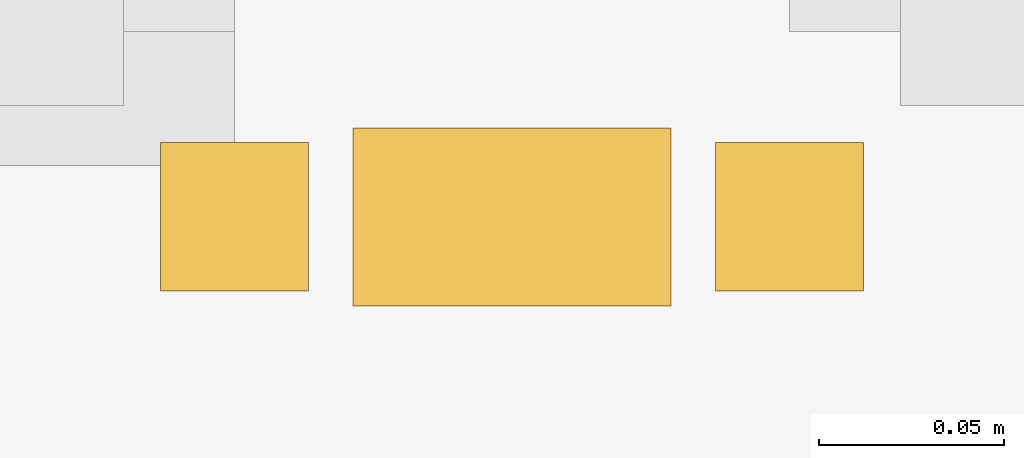
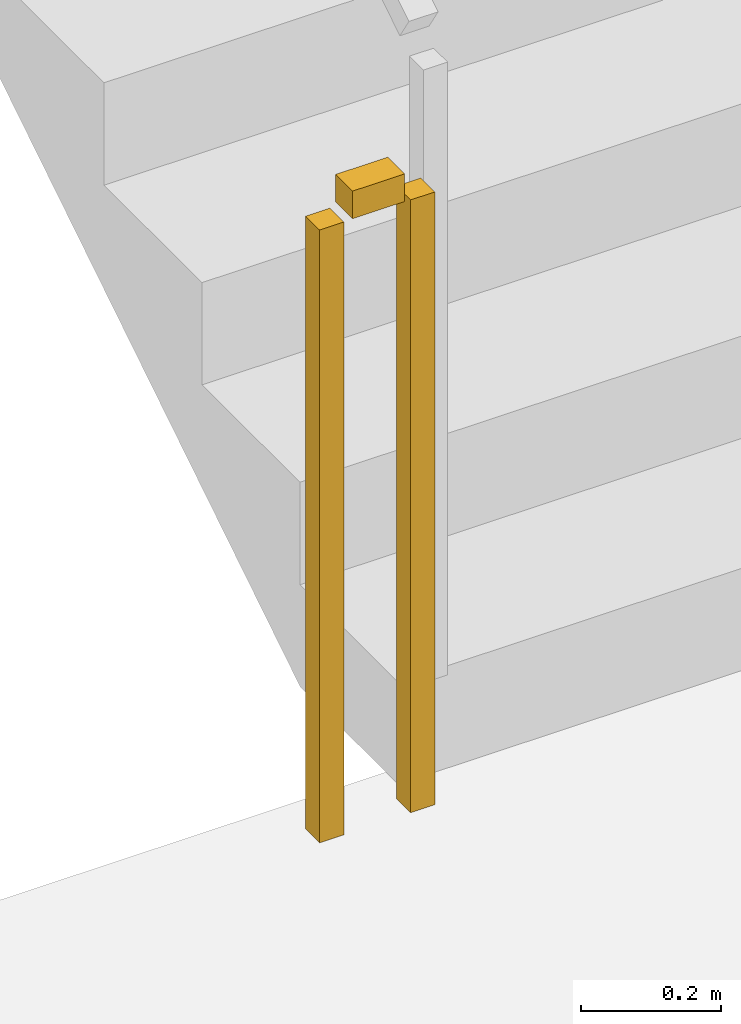
# One storey, part 11 of 15: 1 railing.
"""IFC4 building model written with IfcOpenShell, lengths in metres."""

from ifc_helpers import new_model, si_unit, direction, frame, origin, origin_2d, place, context, subcontext, project, spatial, rectangle, extrude, material, type_object, element, save


model = new_model("IFC4")

# Units and contexts
model_context = context("Model", 3, precision=1e-05, world=origin(), true_north=direction((0.0, 1.0)))
body_context = subcontext(model_context, "Body", "Model", "MODEL_VIEW")
ifc_project = project(units=[si_unit("LENGTHUNIT", "METRE"), si_unit("AREAUNIT", "SQUARE_METRE"), si_unit("VOLUMEUNIT", "CUBIC_METRE"), si_unit("PLANEANGLEUNIT", "RADIAN"), si_unit("MASSUNIT", "GRAM", prefix="KILO")], contexts=[model_context])

# Site, building, storey
site_placement = place(None, origin())
site = spatial("IfcSite", under=ifc_project, at=site_placement, CompositionType="ELEMENT")
building_placement = place(site_placement, origin())
building = spatial("IfcBuilding", under=site, at=building_placement, Name="Tharavind Bronze Gate", CompositionType="ELEMENT")
storey_placement = place(building_placement, frame((0.0, 0.0, 165.14990234375)))
storey = spatial("IfcBuildingStorey", under=building, at=storey_placement, Name="L42", CompositionType="ELEMENT", Elevation=165.14990234375)

# Railing
ifc_material = material(Name="Brushed Bronze Alloy", Category="metal")
railing_type = type_object("IfcRailingType", Name="STAIR WELL GUARD RAILING 1120", PredefinedType="GUARDRAIL", material=ifc_material)
railing_placement = place(storey_placement, frame((-6.85009765625, -2.300048828125, 0.0)))
element("IfcRailing", 1, at=railing_placement, inside=storey, type_object=railing_type, Name="L42 ST1 stair guard 4", PredefinedType="GUARDRAIL", context=body_context, shape_type="SweptSolid", body=[
    extrude(rectangle(XDim=0.048095703125, YDim=0.048095703125, at=origin_2d()), frame((-0.031982421875, 0.0, 1.09619140625), z_axis=(-1.0, 0.0, 0.0), x_axis=(0.0, -1.0, 0.0)), (0.0, 0.0, 1.0), 0.0859375),
    extrude(rectangle(XDim=0.0400390625, YDim=0.0400390625, at=origin_2d()), origin(), (0.0, 0.0, 1.0), 1.068115234375),
    extrude(rectangle(XDim=0.0400390625, YDim=0.0400390625, at=origin_2d()), frame((-0.14990234375, 0.0, 0.0)), (0.0, 0.0, 1.0), 1.068115234375),
])

save(model, "model.ifc")
